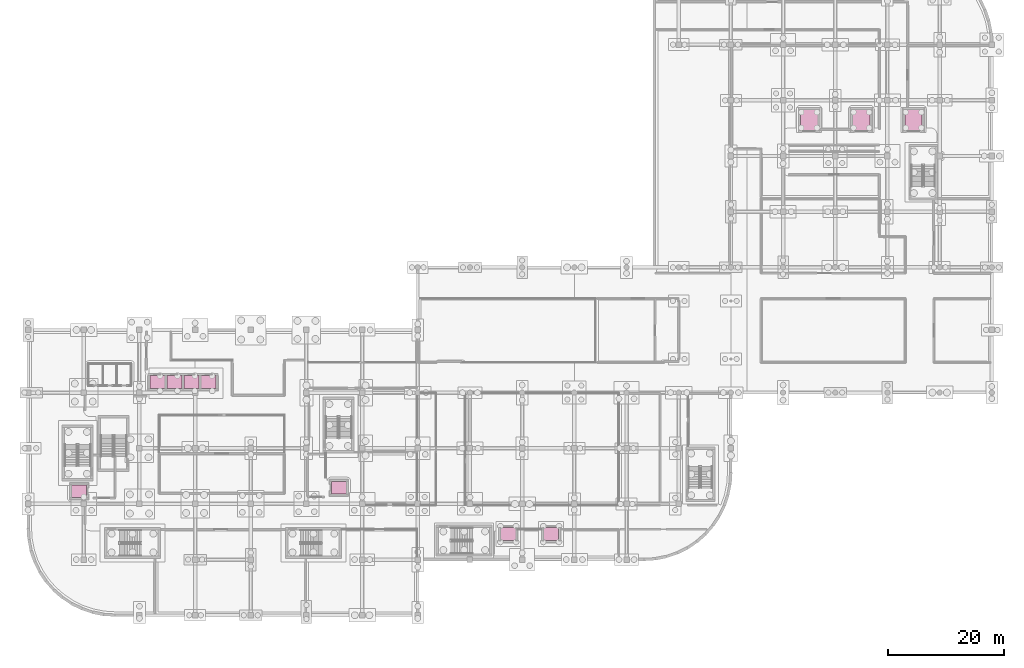
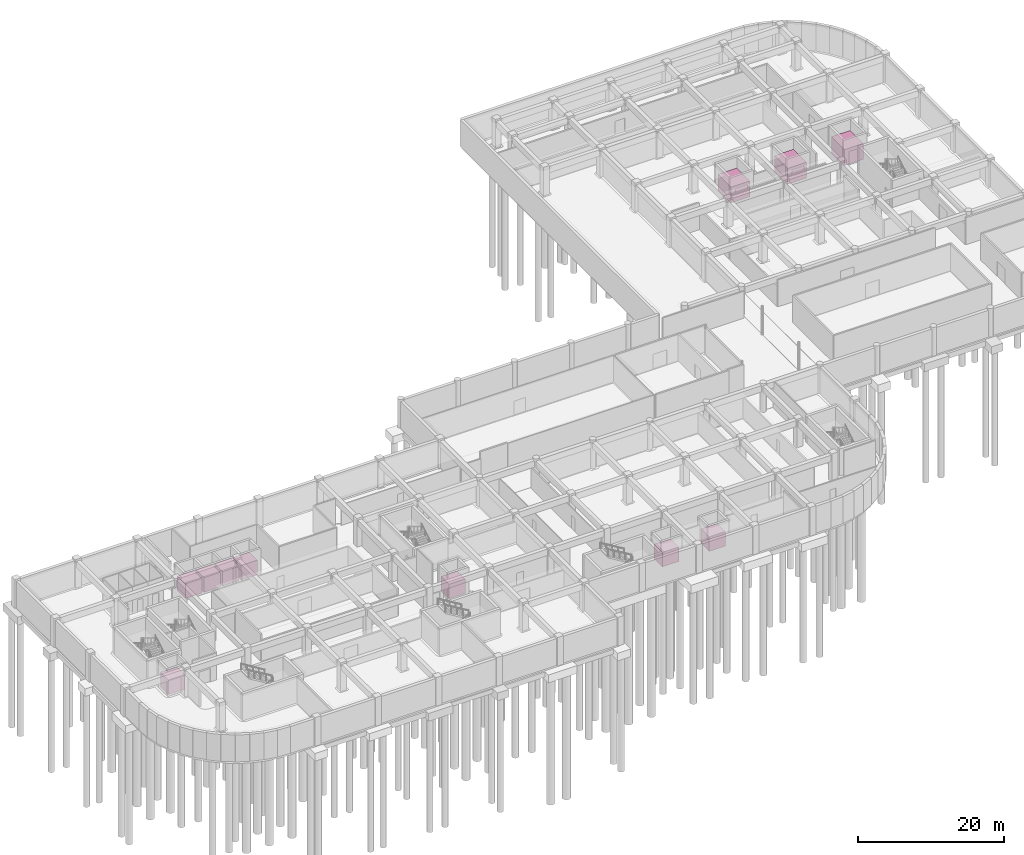
# One storey, part 47 of 47: 11 transport elements.
"""IFC4 building model written with IfcOpenShell, lengths in metres."""

from ifc_helpers import new_model, si_unit, direction, frame, origin, origin_2d, place, context, subcontext, project, spatial, rectangle, extrude, material, type_object, element, save


model = new_model("IFC4")

# Units and contexts
model_context = context("Model", 3, precision=1e-05, world=origin(), true_north=direction((0.0, 1.0)))
body_context = subcontext(model_context, "Body", "Model", "MODEL_VIEW")
ifc_project = project(units=[si_unit("LENGTHUNIT", "METRE"), si_unit("AREAUNIT", "SQUARE_METRE"), si_unit("VOLUMEUNIT", "CUBIC_METRE"), si_unit("PLANEANGLEUNIT", "RADIAN"), si_unit("MASSUNIT", "GRAM", prefix="KILO")], contexts=[model_context])

# Site, building, storey
site_placement = place(None, origin())
site = spatial("IfcSite", under=ifc_project, at=site_placement, CompositionType="ELEMENT")
building_placement = place(site_placement, origin())
building = spatial("IfcBuilding", under=site, at=building_placement, Name="Cendralis Terraced Arcade", CompositionType="ELEMENT")
storey_placement = place(building_placement, frame((0.0, 0.0, -4.800048828125)))
storey = spatial("IfcBuildingStorey", under=building, at=storey_placement, Name="B1", CompositionType="ELEMENT", Elevation=-4.800048828125)

# Transport elements
ifc_material_1 = material(Name="Brushed stainless steel fire-rated lift car", Category="steel")
transport_element_type_1 = type_object("IfcTransportElementType", Name="LFT-FF-2100x1600", PredefinedType="ELEVATOR", material=ifc_material_1)
for number, where, z_axis, x_axis, name in (
    (1, (8.800048828125, 21.39990234375, 0.0), (0.0, 0.0, 1.0), (1.0, 0.0, 0.0), "Firefighting Lift FFL-01"),
    (2, (53.60009765625, 22.0, 0.0), (0.0, 0.0, 1.0), (1.0, 0.0, 0.0), "Firefighting Lift FFL-02"),
):
    element("IfcTransportElement", number, at=place(storey_placement, frame(where, z_axis=z_axis, x_axis=x_axis)), inside=storey, type_object=transport_element_type_1, Name=name, PredefinedType="ELEVATOR", context=body_context, shape_type="SweptSolid", body=[
        extrude(rectangle(XDim=2.60009765625, YDim=2.199951171875, at=origin_2d()), origin(), (0.0, 0.0, 1.0), 2.449951171875),
    ])
ifc_material_2 = material(Name="Heavy-duty stainless steel freight lift car", Category="steel")
transport_element_type_2 = type_object("IfcTransportElementType", Name="LFT-GDS-2400x3000", PredefinedType="ELEVATOR", material=ifc_material_2)
for number, where, z_axis, x_axis, name in (
    (3, (134.699951171875, 85.39990234375, 0.0), (0.0, 0.0, 1.0), (1.0, 0.0, 0.0), "Goods Lift GL-01"),
    (4, (143.699951171875, 85.39990234375, 0.0), (0.0, 0.0, 1.0), (1.0, 0.0, 0.0), "Goods Lift GL-02"),
    (5, (152.699951171875, 85.39990234375, 0.0), (0.0, 0.0, 1.0), (1.0, 0.0, 0.0), "Goods Lift GL-03"),
):
    element("IfcTransportElement", number, at=place(storey_placement, frame(where, z_axis=z_axis, x_axis=x_axis)), inside=storey, type_object=transport_element_type_2, Name=name, PredefinedType="ELEVATOR", context=body_context, shape_type="SweptSolid", body=[
        extrude(rectangle(XDim=3.0, YDim=3.60009765625, at=origin_2d()), origin(), (0.0, 0.0, 1.0), 2.64990234375),
    ])
ifc_material_3 = material(Name="Brushed stainless steel passenger lift car", Category="steel")
transport_element_type_3 = type_object("IfcTransportElementType", Name="LFT-PAX-2100x1650", PredefinedType="ELEVATOR", material=ifc_material_3)
for number, where, z_axis, x_axis, name in (
    (6, (22.300048828125, 40.199951171875, 0.0), (0.0, 0.0, 1.0), (1.0, 0.0, 0.0), "Passenger Lift PL-01"),
    (7, (25.239990234375, 40.199951171875, 0.0), (0.0, 0.0, 1.0), (1.0, 0.0, 0.0), "Passenger Lift PL-02"),
    (8, (28.179931640625, 40.199951171875, 0.0), (0.0, 0.0, 1.0), (1.0, 0.0, 0.0), "Passenger Lift PL-03"),
    (9, (31.1201171875, 40.199951171875, 0.0), (0.0, 0.0, 1.0), (1.0, 0.0, 0.0), "Passenger Lift PL-04"),
    (10, (82.800048828125, 14.0, 0.0), (0.0, 0.0, 1.0), (1.0, 0.0, 0.0), "Passenger Lift PL-07"),
    (11, (90.199951171875, 14.0, 0.0), (0.0, 0.0, 1.0), (1.0, 0.0, 0.0), "Passenger Lift PL-08"),
):
    element("IfcTransportElement", number, at=place(storey_placement, frame(where, z_axis=z_axis, x_axis=x_axis)), inside=storey, type_object=transport_element_type_3, Name=name, PredefinedType="ELEVATOR", context=body_context, shape_type="SweptSolid", body=[
        extrude(rectangle(XDim=2.60009765625, YDim=2.25, at=origin_2d()), origin(), (0.0, 0.0, 1.0), 2.449951171875),
    ])

save(model, "model.ifc")
